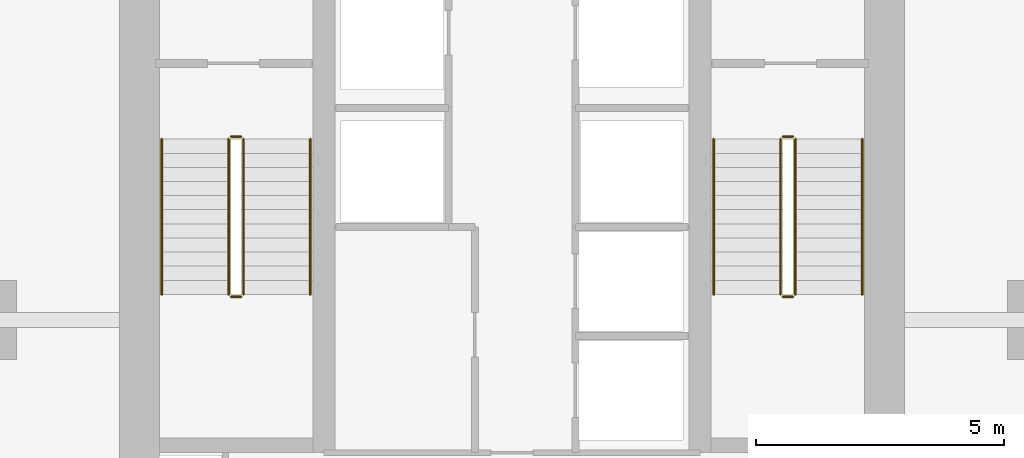
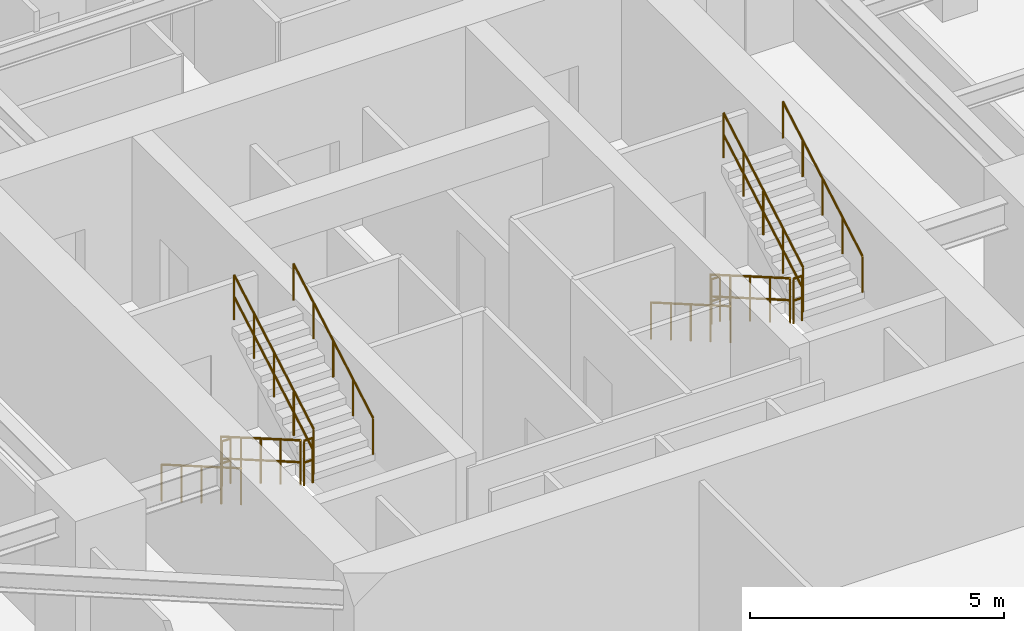
# One storey, part 23 of 24: 12 railings.
"""IFC4 building model written with IfcOpenShell, lengths in metres."""

from ifc_helpers import new_model, si_unit, direction, frame, origin, origin_2d, place, context, subcontext, project, spatial, circle, extrude, material, layer, layer_set, type_object, element, save


model = new_model("IFC4")

# Units and contexts
model_context = context("Model", 3, precision=1e-05, world=origin(), true_north=direction((0.0, 1.0)))
body_context = subcontext(model_context, "Body", "Model", "MODEL_VIEW")
ifc_project = project(units=[si_unit("LENGTHUNIT", "METRE"), si_unit("AREAUNIT", "SQUARE_METRE"), si_unit("VOLUMEUNIT", "CUBIC_METRE"), si_unit("PLANEANGLEUNIT", "RADIAN"), si_unit("MASSUNIT", "GRAM", prefix="KILO")], contexts=[model_context])

# Site, building, storey
site_placement = place(None, origin())
site = spatial("IfcSite", under=ifc_project, at=site_placement, CompositionType="ELEMENT")
building_placement = place(site_placement, origin())
building = spatial("IfcBuilding", under=site, at=building_placement, Name="Krantzveldt Concourse Tower", CompositionType="ELEMENT")
storey_placement = place(building_placement, frame((0.0, 0.0, 250.75)))
storey = spatial("IfcBuildingStorey", under=building, at=storey_placement, Name="L61", CompositionType="ELEMENT", Elevation=250.75)

# Railings
ifc_material = material(Name="Stainless steel 316L", Category="steel")
ifc_layer_1 = layer(ifc_material, 0.06005859375, Name="Stainless steel 316L", Category="steel")
ifc_layer_set_1 = layer_set([ifc_layer_1], Name="Stainless steel 316L (RL-GUARD-1120)")
railing_type_1 = type_object("IfcRailingType", Name="RL-GUARD-1120", PredefinedType="GUARDRAIL", material=ifc_layer_set_1)
railing_1_placement = place(storey_placement, frame((30.280029296875, 19.550048828125, 0.16455078125)))
element("IfcRailing", 1, at=railing_1_placement, inside=storey, type_object=railing_type_1, Name="L61 ST-1 stair guard 1", PredefinedType="GUARDRAIL", context=body_context, shape_type="SweptSolid", body=[
    extrude(circle(Radius=0.02392578125, at=origin_2d()), frame((0.0, 0.0, 1.076171875), z_axis=(0.0, -0.865959834175, 0.500113552702), x_axis=(1.0, 0.0, 0.0)), (0.0, 0.0, 1.0), 3.620361328125),
    extrude(circle(Radius=0.02392578125, at=origin_2d()), frame((0.0, 0.0, 0.550048828125), z_axis=(0.0, -0.865959834175, 0.500113552702), x_axis=(1.0, 0.0, 0.0)), (0.0, 0.0, 1.0), 3.620361328125),
    extrude(circle(Radius=0.02099609375, at=origin_2d()), origin(), (0.0, 0.0, 1.0), 1.052001953125),
    extrude(circle(Radius=0.02099609375, at=origin_2d()), frame((0.0, -0.78369140625, 0.45263671875)), (0.0, 0.0, 1.0), 1.052001953125),
    extrude(circle(Radius=0.02099609375, at=origin_2d()), frame((0.0, -1.5673828125, 0.9052734375)), (0.0, 0.0, 1.0), 1.052001953125),
    extrude(circle(Radius=0.02099609375, at=origin_2d()), frame((0.0, -2.351318359375, 1.35791015625)), (0.0, 0.0, 1.0), 1.052001953125),
    extrude(circle(Radius=0.02099609375, at=origin_2d()), frame((0.0, -3.135009765625, 1.810546875)), (0.0, 0.0, 1.0), 1.052001953125),
])
railing_2_placement = place(storey_placement, frame((30.330078125, 16.364990234375, 1.97509765625)))
element("IfcRailing", 2, at=railing_2_placement, inside=storey, type_object=railing_type_1, Name="L61 ST-1 stair guard 2", PredefinedType="GUARDRAIL", context=body_context, shape_type="SweptSolid", body=[
    extrude(circle(Radius=0.02392578125, at=origin_2d()), frame((0.0, 0.0, 1.076171875), z_axis=(1.0, 0.0, 0.0), x_axis=(0.0, 1.0, 0.0)), (0.0, 0.0, 1.0), 0.199951171875),
    extrude(circle(Radius=0.02392578125, at=origin_2d()), frame((0.0, 0.0, 0.550048828125), z_axis=(1.0, 0.0, 0.0), x_axis=(0.0, 1.0, 0.0)), (0.0, 0.0, 1.0), 0.199951171875),
    extrude(circle(Radius=0.02099609375, at=origin_2d()), origin(), (0.0, 0.0, 1.0), 1.052001953125),
    extrude(circle(Radius=0.02099609375, at=origin_2d()), frame((0.199951171875, 0.0, 0.0)), (0.0, 0.0, 1.0), 1.052001953125),
])
railing_3_placement = place(storey_placement, frame((30.580078125, 16.4150390625, 2.1396484375)))
element("IfcRailing", 3, at=railing_3_placement, inside=storey, type_object=railing_type_1, Name="L61 ST-1 stair guard 3", PredefinedType="GUARDRAIL", context=body_context, shape_type="SweptSolid", body=[
    extrude(circle(Radius=0.02392578125, at=origin_2d()), frame((0.0, 0.0, 1.076171875), z_axis=(0.0, 0.865989039225, 0.500062979975), x_axis=(-1.0, 0.0, 0.0)), (0.0, 0.0, 1.0), 3.6201171875),
    extrude(circle(Radius=0.02392578125, at=origin_2d()), frame((0.0, 0.0, 0.550048828125), z_axis=(0.0, 0.865989039225, 0.500062979975), x_axis=(-1.0, 0.0, 0.0)), (0.0, 0.0, 1.0), 3.6201171875),
    extrude(circle(Radius=0.02099609375, at=origin_2d()), origin(), (0.0, 0.0, 1.0), 1.052001953125),
    extrude(circle(Radius=0.02099609375, at=origin_2d()), frame((0.0, 0.78369140625, 0.45263671875)), (0.0, 0.0, 1.0), 1.052001953125),
    extrude(circle(Radius=0.02099609375, at=origin_2d()), frame((0.0, 1.5673828125, 0.9052734375)), (0.0, 0.0, 1.0), 1.052001953125),
    extrude(circle(Radius=0.02099609375, at=origin_2d()), frame((0.0, 2.351318359375, 1.357666015625)), (0.0, 0.0, 1.0), 1.052001953125),
    extrude(circle(Radius=0.02099609375, at=origin_2d()), frame((0.0, 3.135009765625, 1.810302734375)), (0.0, 0.0, 1.0), 1.052001953125),
])
railing_4_placement = place(storey_placement, frame((30.330078125, 19.60009765625, 0.0)))
element("IfcRailing", 4, at=railing_4_placement, inside=storey, type_object=railing_type_1, Name="L61 ST-1 stair guard 4", PredefinedType="GUARDRAIL", context=body_context, shape_type="SweptSolid", body=[
    extrude(circle(Radius=0.02392578125, at=origin_2d()), frame((0.0, 0.0, 1.076171875), z_axis=(1.0, 0.0, 0.0), x_axis=(0.0, 1.0, 0.0)), (0.0, 0.0, 1.0), 0.199951171875),
    extrude(circle(Radius=0.02392578125, at=origin_2d()), frame((0.0, 0.0, 0.550048828125), z_axis=(1.0, 0.0, 0.0), x_axis=(0.0, 1.0, 0.0)), (0.0, 0.0, 1.0), 0.199951171875),
    extrude(circle(Radius=0.02099609375, at=origin_2d()), origin(), (0.0, 0.0, 1.0), 1.052001953125),
    extrude(circle(Radius=0.02099609375, at=origin_2d()), frame((0.199951171875, 0.0, 0.0)), (0.0, 0.0, 1.0), 1.052001953125),
])
railing_5_placement = place(storey_placement, frame((41.419921875, 19.550048828125, 0.16455078125)))
element("IfcRailing", 5, at=railing_5_placement, inside=storey, type_object=railing_type_1, Name="L61 ST-2 stair guard 1", PredefinedType="GUARDRAIL", context=body_context, shape_type="SweptSolid", body=[
    extrude(circle(Radius=0.02392578125, at=origin_2d()), frame((0.0, 0.0, 1.076171875), z_axis=(0.0, -0.865959834175, 0.500113552702), x_axis=(1.0, 0.0, 0.0)), (0.0, 0.0, 1.0), 3.620361328125),
    extrude(circle(Radius=0.02392578125, at=origin_2d()), frame((0.0, 0.0, 0.550048828125), z_axis=(0.0, -0.865959834175, 0.500113552702), x_axis=(1.0, 0.0, 0.0)), (0.0, 0.0, 1.0), 3.620361328125),
    extrude(circle(Radius=0.02099609375, at=origin_2d()), origin(), (0.0, 0.0, 1.0), 1.052001953125),
    extrude(circle(Radius=0.02099609375, at=origin_2d()), frame((0.0, -0.78369140625, 0.45263671875)), (0.0, 0.0, 1.0), 1.052001953125),
    extrude(circle(Radius=0.02099609375, at=origin_2d()), frame((0.0, -1.5673828125, 0.9052734375)), (0.0, 0.0, 1.0), 1.052001953125),
    extrude(circle(Radius=0.02099609375, at=origin_2d()), frame((0.0, -2.351318359375, 1.35791015625)), (0.0, 0.0, 1.0), 1.052001953125),
    extrude(circle(Radius=0.02099609375, at=origin_2d()), frame((0.0, -3.135009765625, 1.810546875)), (0.0, 0.0, 1.0), 1.052001953125),
])
railing_6_placement = place(storey_placement, frame((41.469970703125, 16.364990234375, 1.97509765625)))
element("IfcRailing", 6, at=railing_6_placement, inside=storey, type_object=railing_type_1, Name="L61 ST-2 stair guard 2", PredefinedType="GUARDRAIL", context=body_context, shape_type="SweptSolid", body=[
    extrude(circle(Radius=0.02392578125, at=origin_2d()), frame((0.0, 0.0, 1.076171875), z_axis=(1.0, 0.0, 0.0), x_axis=(0.0, 1.0, 0.0)), (0.0, 0.0, 1.0), 0.199951171875),
    extrude(circle(Radius=0.02392578125, at=origin_2d()), frame((0.0, 0.0, 0.550048828125), z_axis=(1.0, 0.0, 0.0), x_axis=(0.0, 1.0, 0.0)), (0.0, 0.0, 1.0), 0.199951171875),
    extrude(circle(Radius=0.02099609375, at=origin_2d()), origin(), (0.0, 0.0, 1.0), 1.052001953125),
    extrude(circle(Radius=0.02099609375, at=origin_2d()), frame((0.199951171875, 0.0, 0.0)), (0.0, 0.0, 1.0), 1.052001953125),
])
railing_7_placement = place(storey_placement, frame((41.719970703125, 16.4150390625, 2.1396484375)))
element("IfcRailing", 7, at=railing_7_placement, inside=storey, type_object=railing_type_1, Name="L61 ST-2 stair guard 3", PredefinedType="GUARDRAIL", context=body_context, shape_type="SweptSolid", body=[
    extrude(circle(Radius=0.02392578125, at=origin_2d()), frame((0.0, 0.0, 1.076171875), z_axis=(0.0, 0.865989039225, 0.500062979975), x_axis=(-1.0, 0.0, 0.0)), (0.0, 0.0, 1.0), 3.6201171875),
    extrude(circle(Radius=0.02392578125, at=origin_2d()), frame((0.0, 0.0, 0.550048828125), z_axis=(0.0, 0.865989039225, 0.500062979975), x_axis=(-1.0, 0.0, 0.0)), (0.0, 0.0, 1.0), 3.6201171875),
    extrude(circle(Radius=0.02099609375, at=origin_2d()), origin(), (0.0, 0.0, 1.0), 1.052001953125),
    extrude(circle(Radius=0.02099609375, at=origin_2d()), frame((0.0, 0.78369140625, 0.45263671875)), (0.0, 0.0, 1.0), 1.052001953125),
    extrude(circle(Radius=0.02099609375, at=origin_2d()), frame((0.0, 1.5673828125, 0.9052734375)), (0.0, 0.0, 1.0), 1.052001953125),
    extrude(circle(Radius=0.02099609375, at=origin_2d()), frame((0.0, 2.351318359375, 1.357666015625)), (0.0, 0.0, 1.0), 1.052001953125),
    extrude(circle(Radius=0.02099609375, at=origin_2d()), frame((0.0, 3.135009765625, 1.810302734375)), (0.0, 0.0, 1.0), 1.052001953125),
])
railing_8_placement = place(storey_placement, frame((41.469970703125, 19.60009765625, 0.0)))
element("IfcRailing", 8, at=railing_8_placement, inside=storey, type_object=railing_type_1, Name="L61 ST-2 stair guard 4", PredefinedType="GUARDRAIL", context=body_context, shape_type="SweptSolid", body=[
    extrude(circle(Radius=0.02392578125, at=origin_2d()), frame((0.0, 0.0, 1.076171875), z_axis=(1.0, 0.0, 0.0), x_axis=(0.0, 1.0, 0.0)), (0.0, 0.0, 1.0), 0.199951171875),
    extrude(circle(Radius=0.02392578125, at=origin_2d()), frame((0.0, 0.0, 0.550048828125), z_axis=(1.0, 0.0, 0.0), x_axis=(0.0, 1.0, 0.0)), (0.0, 0.0, 1.0), 0.199951171875),
    extrude(circle(Radius=0.02099609375, at=origin_2d()), origin(), (0.0, 0.0, 1.0), 1.052001953125),
    extrude(circle(Radius=0.02099609375, at=origin_2d()), frame((0.199951171875, 0.0, 0.0)), (0.0, 0.0, 1.0), 1.052001953125),
])
ifc_layer_2 = layer(ifc_material, 0.050048828125, Name="Stainless steel 316L", Category="steel")
ifc_layer_set_2 = layer_set([ifc_layer_2], Name="Stainless steel 316L (RL-HANDRAIL-920)")
railing_type_2 = type_object("IfcRailingType", Name="RL-HANDRAIL-920", PredefinedType="HANDRAIL", material=ifc_layer_set_2)
railing_9_placement = place(storey_placement, frame((28.929931640625, 19.550048828125, 0.16455078125)))
element("IfcRailing", 9, at=railing_9_placement, inside=storey, type_object=railing_type_2, Name="L61 ST-1 stair handrail 1", PredefinedType="HANDRAIL", context=body_context, shape_type="SweptSolid", body=[
    extrude(circle(Radius=0.02392578125, at=origin_2d()), frame((0.0, 0.0, 0.8759765625), z_axis=(0.0, -0.865959834175, 0.500113552702), x_axis=(1.0, 0.0, 0.0)), (0.0, 0.0, 1.0), 3.620361328125),
    extrude(circle(Radius=0.02099609375, at=origin_2d()), origin(), (0.0, 0.0, 1.0), 0.851806640625),
    extrude(circle(Radius=0.02099609375, at=origin_2d()), frame((0.0, -0.78369140625, 0.45263671875)), (0.0, 0.0, 1.0), 0.851806640625),
    extrude(circle(Radius=0.02099609375, at=origin_2d()), frame((0.0, -1.5673828125, 0.9052734375)), (0.0, 0.0, 1.0), 0.851806640625),
    extrude(circle(Radius=0.02099609375, at=origin_2d()), frame((0.0, -2.351318359375, 1.35791015625)), (0.0, 0.0, 1.0), 0.851806640625),
    extrude(circle(Radius=0.02099609375, at=origin_2d()), frame((0.0, -3.135009765625, 1.810546875)), (0.0, 0.0, 1.0), 0.851806640625),
])
railing_10_placement = place(storey_placement, frame((31.929931640625, 16.4150390625, 2.1396484375)))
element("IfcRailing", 10, at=railing_10_placement, inside=storey, type_object=railing_type_2, Name="L61 ST-1 stair handrail 2", PredefinedType="HANDRAIL", context=body_context, shape_type="SweptSolid", body=[
    extrude(circle(Radius=0.02392578125, at=origin_2d()), frame((0.0, 0.0, 0.8759765625), z_axis=(0.0, 0.865989039225, 0.500062979975), x_axis=(-1.0, 0.0, 0.0)), (0.0, 0.0, 1.0), 3.6201171875),
    extrude(circle(Radius=0.02099609375, at=origin_2d()), origin(), (0.0, 0.0, 1.0), 0.851806640625),
    extrude(circle(Radius=0.02099609375, at=origin_2d()), frame((0.0, 0.78369140625, 0.45263671875)), (0.0, 0.0, 1.0), 0.851806640625),
    extrude(circle(Radius=0.02099609375, at=origin_2d()), frame((0.0, 1.5673828125, 0.9052734375)), (0.0, 0.0, 1.0), 0.851806640625),
    extrude(circle(Radius=0.02099609375, at=origin_2d()), frame((0.0, 2.351318359375, 1.357666015625)), (0.0, 0.0, 1.0), 0.851806640625),
    extrude(circle(Radius=0.02099609375, at=origin_2d()), frame((0.0, 3.135009765625, 1.810302734375)), (0.0, 0.0, 1.0), 0.851806640625),
])
railing_11_placement = place(storey_placement, frame((40.070068359375, 19.550048828125, 0.16455078125)))
element("IfcRailing", 11, at=railing_11_placement, inside=storey, type_object=railing_type_2, Name="L61 ST-2 stair handrail 1", PredefinedType="HANDRAIL", context=body_context, shape_type="SweptSolid", body=[
    extrude(circle(Radius=0.02392578125, at=origin_2d()), frame((0.0, 0.0, 0.8759765625), z_axis=(0.0, -0.865959834175, 0.500113552702), x_axis=(1.0, 0.0, 0.0)), (0.0, 0.0, 1.0), 3.620361328125),
    extrude(circle(Radius=0.02099609375, at=origin_2d()), origin(), (0.0, 0.0, 1.0), 0.851806640625),
    extrude(circle(Radius=0.02099609375, at=origin_2d()), frame((0.0, -0.78369140625, 0.45263671875)), (0.0, 0.0, 1.0), 0.851806640625),
    extrude(circle(Radius=0.02099609375, at=origin_2d()), frame((0.0, -1.5673828125, 0.9052734375)), (0.0, 0.0, 1.0), 0.851806640625),
    extrude(circle(Radius=0.02099609375, at=origin_2d()), frame((0.0, -2.351318359375, 1.35791015625)), (0.0, 0.0, 1.0), 0.851806640625),
    extrude(circle(Radius=0.02099609375, at=origin_2d()), frame((0.0, -3.135009765625, 1.810546875)), (0.0, 0.0, 1.0), 0.851806640625),
])
railing_12_placement = place(storey_placement, frame((43.070068359375, 16.4150390625, 2.1396484375)))
element("IfcRailing", 12, at=railing_12_placement, inside=storey, type_object=railing_type_2, Name="L61 ST-2 stair handrail 2", PredefinedType="HANDRAIL", context=body_context, shape_type="SweptSolid", body=[
    extrude(circle(Radius=0.02392578125, at=origin_2d()), frame((0.0, 0.0, 0.8759765625), z_axis=(0.0, 0.865989039225, 0.500062979975), x_axis=(-1.0, 0.0, 0.0)), (0.0, 0.0, 1.0), 3.6201171875),
    extrude(circle(Radius=0.02099609375, at=origin_2d()), origin(), (0.0, 0.0, 1.0), 0.851806640625),
    extrude(circle(Radius=0.02099609375, at=origin_2d()), frame((0.0, 0.78369140625, 0.45263671875)), (0.0, 0.0, 1.0), 0.851806640625),
    extrude(circle(Radius=0.02099609375, at=origin_2d()), frame((0.0, 1.5673828125, 0.9052734375)), (0.0, 0.0, 1.0), 0.851806640625),
    extrude(circle(Radius=0.02099609375, at=origin_2d()), frame((0.0, 2.351318359375, 1.357666015625)), (0.0, 0.0, 1.0), 0.851806640625),
    extrude(circle(Radius=0.02099609375, at=origin_2d()), frame((0.0, 3.135009765625, 1.810302734375)), (0.0, 0.0, 1.0), 0.851806640625),
])

save(model, "model.ifc")
